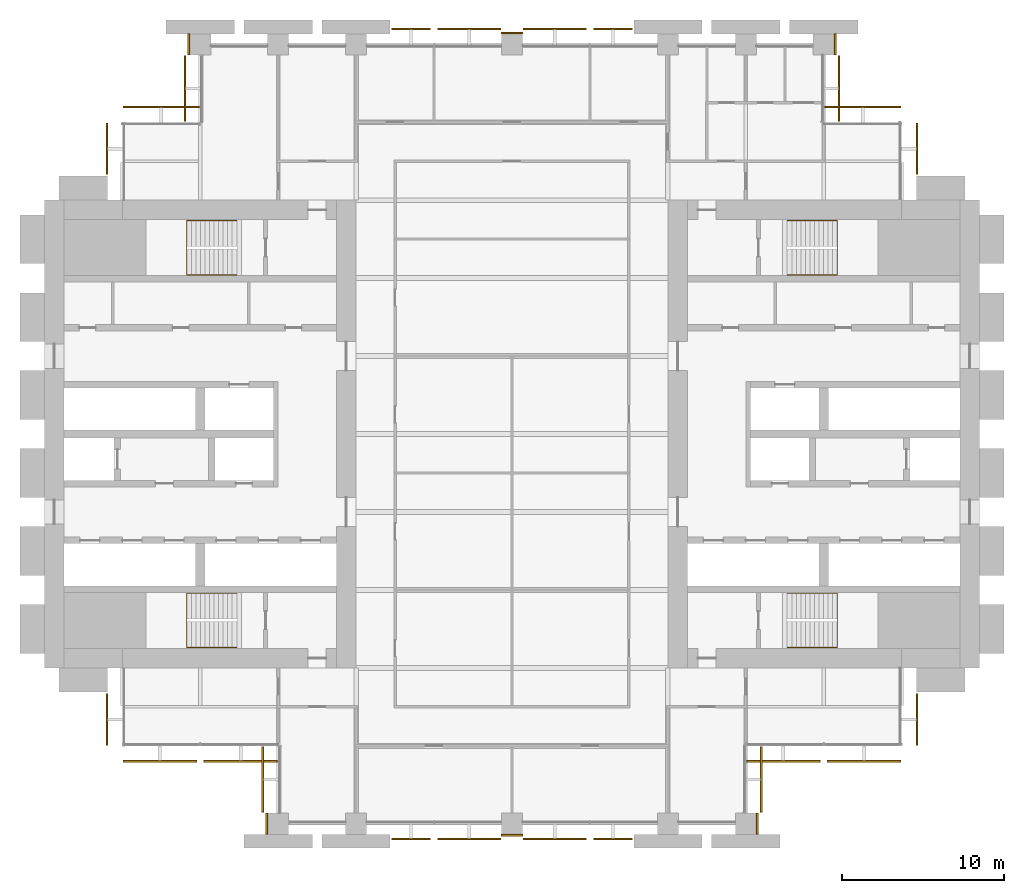
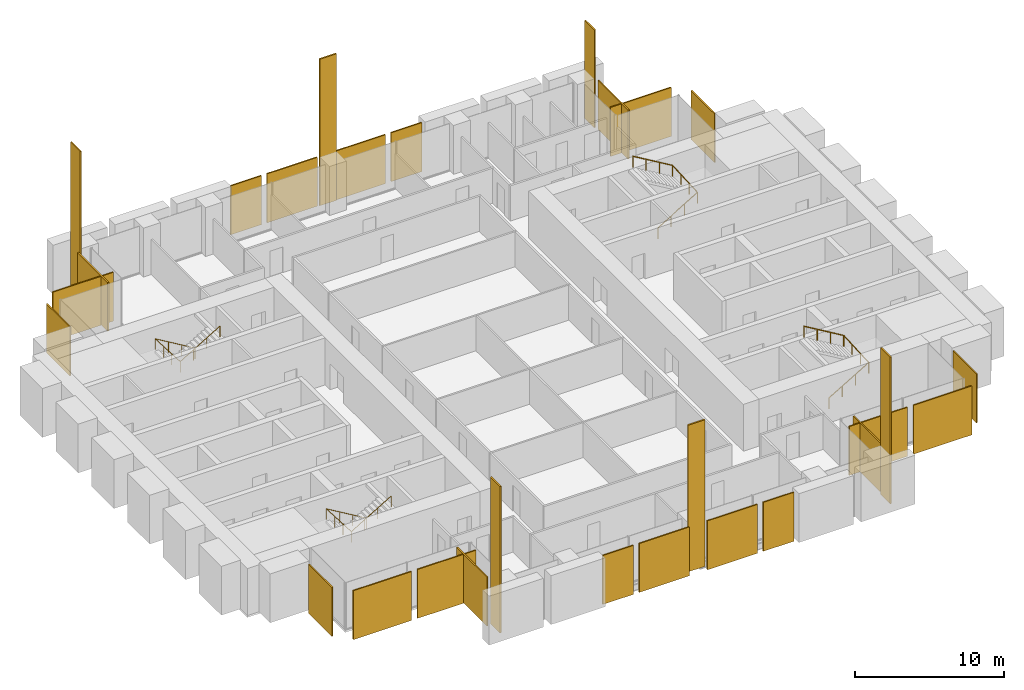
# One storey, part 14 of 14: 28 coverings, 4 railings.
"""IFC4 building model written with IfcOpenShell, lengths in metres."""

from ifc_helpers import new_model, si_unit, direction, frame, origin, origin_2d, place, context, subcontext, project, spatial, polyline, rectangle, circle, outline, extrude, material, layer, layer_set, type_object, element, save


model = new_model("IFC4")

# Units and contexts
model_context = context("Model", 3, precision=1e-05, world=origin(), true_north=direction((0.0, 1.0)))
body_context = subcontext(model_context, "Body", "Model", "MODEL_VIEW")
ifc_project = project(units=[si_unit("LENGTHUNIT", "METRE"), si_unit("AREAUNIT", "SQUARE_METRE"), si_unit("VOLUMEUNIT", "CUBIC_METRE"), si_unit("PLANEANGLEUNIT", "RADIAN"), si_unit("MASSUNIT", "GRAM", prefix="KILO")], contexts=[model_context])

# Site, building, storey
site_placement = place(None, origin())
site = spatial("IfcSite", under=ifc_project, at=site_placement, CompositionType="ELEMENT")
building_placement = place(site_placement, origin())
building = spatial("IfcBuilding", under=site, at=building_placement, Name="Baori Bourse Tower", CompositionType="ELEMENT")
storey_placement = place(building_placement, frame((0.0, 0.0, 75.0)))
storey = spatial("IfcBuildingStorey", under=building, at=storey_placement, Name="L16", CompositionType="ELEMENT", Elevation=75.0)

# Railings
ifc_material_1 = material(Name="Powder-coated steel balustrade", Category="steel")
railing_type = type_object("IfcRailingType", Name="Core stair handrail", PredefinedType="HANDRAIL", material=ifc_material_1)
railing_1_placement = place(storey_placement, frame((11.85009765625, 14.199951171875, 0.166748046875)))
element("IfcRailing", 1, at=railing_1_placement, inside=storey, type_object=railing_type, Name="L16 ST1 stair handrail 1", PredefinedType="HANDRAIL", context=body_context, shape_type="SweptSolid", body=[
    extrude(circle(Radius=0.02392578125, at=origin_2d()), frame((0.0, 0.0, 0.8759765625), z_axis=(-0.859308565015, 0.0, 0.511457515432), x_axis=(0.0, -1.0, 0.0)), (0.0, 0.0, 1.0), 3.58447265625),
    extrude(circle(Radius=0.02392578125, at=origin_2d()), frame((-3.080078125, 0.0, 2.708984375), z_axis=(0.0, -0.998763387249, 0.04971615724), x_axis=(1.0, 0.0, 0.0)), (0.0, 0.0, 1.0), 3.35400390625),
    extrude(circle(Radius=0.02392578125, at=origin_2d()), frame((-3.080078125, -3.349853515625, 2.8759765625), z_axis=(0.859308565015, 0.0, 0.511457515432), x_axis=(0.0, 1.0, 0.0)), (0.0, 0.0, 1.0), 3.58447265625),
    extrude(circle(Radius=0.02099609375, at=origin_2d()), origin(), (0.0, 0.0, 1.0), 0.851806640625),
    extrude(circle(Radius=0.02099609375, at=origin_2d()), frame((-1.026611328125, 0.0, 0.611083984375)), (0.0, 0.0, 1.0), 0.851806640625),
    extrude(circle(Radius=0.02099609375, at=origin_2d()), frame((-2.053466796875, 0.0, 1.22216796875)), (0.0, 0.0, 1.0), 0.851806640625),
    extrude(circle(Radius=0.02099609375, at=origin_2d()), frame((-3.080078125, 0.0, 1.833251953125)), (0.0, 0.0, 1.0), 0.851806640625),
    extrude(circle(Radius=0.02099609375, at=origin_2d()), frame((-3.080078125, -1.11669921875, 1.888916015625)), (0.0, 0.0, 1.0), 0.851806640625),
    extrude(circle(Radius=0.02099609375, at=origin_2d()), frame((-3.080078125, -2.233154296875, 1.9443359375)), (0.0, 0.0, 1.0), 0.851806640625),
    extrude(circle(Radius=0.02099609375, at=origin_2d()), frame((-3.080078125, -3.349853515625, 2.0)), (0.0, 0.0, 1.0), 0.851806640625),
    extrude(circle(Radius=0.02099609375, at=origin_2d()), frame((-2.053466796875, -3.349853515625, 2.611083984375)), (0.0, 0.0, 1.0), 0.851806640625),
    extrude(circle(Radius=0.02099609375, at=origin_2d()), frame((-1.026611328125, -3.349853515625, 3.22216796875)), (0.0, 0.0, 1.0), 0.851806640625),
    extrude(circle(Radius=0.02099609375, at=origin_2d()), frame((0.0, -3.349853515625, 3.833251953125)), (0.0, 0.0, 1.0), 0.851806640625),
])
railing_2_placement = place(storey_placement, frame((11.85009765625, 37.14990234375, 0.166748046875)))
element("IfcRailing", 2, at=railing_2_placement, inside=storey, type_object=railing_type, Name="L16 ST2 stair handrail 1", PredefinedType="HANDRAIL", context=body_context, shape_type="SweptSolid", body=[
    extrude(circle(Radius=0.02392578125, at=origin_2d()), frame((0.0, 0.0, 0.8759765625), z_axis=(-0.859308565015, 0.0, 0.511457515432), x_axis=(0.0, -1.0, 0.0)), (0.0, 0.0, 1.0), 3.58447265625),
    extrude(circle(Radius=0.02392578125, at=origin_2d()), frame((-3.080078125, 0.0, 2.708984375), z_axis=(0.0, -0.998763387249, 0.04971615724), x_axis=(1.0, 0.0, 0.0)), (0.0, 0.0, 1.0), 3.35400390625),
    extrude(circle(Radius=0.02392578125, at=origin_2d()), frame((-3.080078125, -3.349853515625, 2.8759765625), z_axis=(0.859308565015, 0.0, 0.511457515432), x_axis=(0.0, 1.0, 0.0)), (0.0, 0.0, 1.0), 3.58447265625),
    extrude(circle(Radius=0.02099609375, at=origin_2d()), origin(), (0.0, 0.0, 1.0), 0.851806640625),
    extrude(circle(Radius=0.02099609375, at=origin_2d()), frame((-1.026611328125, 0.0, 0.611083984375)), (0.0, 0.0, 1.0), 0.851806640625),
    extrude(circle(Radius=0.02099609375, at=origin_2d()), frame((-2.053466796875, 0.0, 1.22216796875)), (0.0, 0.0, 1.0), 0.851806640625),
    extrude(circle(Radius=0.02099609375, at=origin_2d()), frame((-3.080078125, 0.0, 1.833251953125)), (0.0, 0.0, 1.0), 0.851806640625),
    extrude(circle(Radius=0.02099609375, at=origin_2d()), frame((-3.080078125, -1.11669921875, 1.888916015625)), (0.0, 0.0, 1.0), 0.851806640625),
    extrude(circle(Radius=0.02099609375, at=origin_2d()), frame((-3.080078125, -2.233154296875, 1.9443359375)), (0.0, 0.0, 1.0), 0.851806640625),
    extrude(circle(Radius=0.02099609375, at=origin_2d()), frame((-3.080078125, -3.349853515625, 2.0)), (0.0, 0.0, 1.0), 0.851806640625),
    extrude(circle(Radius=0.02099609375, at=origin_2d()), frame((-2.053466796875, -3.349853515625, 2.611083984375)), (0.0, 0.0, 1.0), 0.851806640625),
    extrude(circle(Radius=0.02099609375, at=origin_2d()), frame((-1.026611328125, -3.349853515625, 3.22216796875)), (0.0, 0.0, 1.0), 0.851806640625),
    extrude(circle(Radius=0.02099609375, at=origin_2d()), frame((0.0, -3.349853515625, 3.833251953125)), (0.0, 0.0, 1.0), 0.851806640625),
])
railing_3_placement = place(storey_placement, frame((45.75, 10.85009765625, 0.166748046875)))
element("IfcRailing", 3, at=railing_3_placement, inside=storey, type_object=railing_type, Name="L16 ST3 stair handrail 1", PredefinedType="HANDRAIL", context=body_context, shape_type="SweptSolid", body=[
    extrude(circle(Radius=0.02392578125, at=origin_2d()), frame((0.0, 0.0, 0.8759765625), z_axis=(0.859308565015, 0.0, 0.511457515432), x_axis=(0.0, 1.0, 0.0)), (0.0, 0.0, 1.0), 3.58447265625),
    extrude(circle(Radius=0.02392578125, at=origin_2d()), frame((3.080078125, 0.0, 2.708984375), z_axis=(0.0, 0.998763387249, 0.04971615724), x_axis=(-1.0, 0.0, 0.0)), (0.0, 0.0, 1.0), 3.35400390625),
    extrude(circle(Radius=0.02392578125, at=origin_2d()), frame((3.080078125, 3.349853515625, 2.8759765625), z_axis=(-0.859308565015, 0.0, 0.511457515432), x_axis=(0.0, -1.0, 0.0)), (0.0, 0.0, 1.0), 3.58447265625),
    extrude(circle(Radius=0.02099609375, at=origin_2d()), origin(), (0.0, 0.0, 1.0), 0.851806640625),
    extrude(circle(Radius=0.02099609375, at=origin_2d()), frame((1.026611328125, 0.0, 0.611083984375)), (0.0, 0.0, 1.0), 0.851806640625),
    extrude(circle(Radius=0.02099609375, at=origin_2d()), frame((2.053466796875, 0.0, 1.22216796875)), (0.0, 0.0, 1.0), 0.851806640625),
    extrude(circle(Radius=0.02099609375, at=origin_2d()), frame((3.080078125, 0.0, 1.833251953125)), (0.0, 0.0, 1.0), 0.851806640625),
    extrude(circle(Radius=0.02099609375, at=origin_2d()), frame((3.080078125, 1.11669921875, 1.888916015625)), (0.0, 0.0, 1.0), 0.851806640625),
    extrude(circle(Radius=0.02099609375, at=origin_2d()), frame((3.080078125, 2.233154296875, 1.9443359375)), (0.0, 0.0, 1.0), 0.851806640625),
    extrude(circle(Radius=0.02099609375, at=origin_2d()), frame((3.080078125, 3.349853515625, 2.0)), (0.0, 0.0, 1.0), 0.851806640625),
    extrude(circle(Radius=0.02099609375, at=origin_2d()), frame((2.053466796875, 3.349853515625, 2.611083984375)), (0.0, 0.0, 1.0), 0.851806640625),
    extrude(circle(Radius=0.02099609375, at=origin_2d()), frame((1.026611328125, 3.349853515625, 3.22216796875)), (0.0, 0.0, 1.0), 0.851806640625),
    extrude(circle(Radius=0.02099609375, at=origin_2d()), frame((0.0, 3.349853515625, 3.833251953125)), (0.0, 0.0, 1.0), 0.851806640625),
])
railing_4_placement = place(storey_placement, frame((45.75, 33.800048828125, 0.166748046875)))
element("IfcRailing", 4, at=railing_4_placement, inside=storey, type_object=railing_type, Name="L16 ST4 stair handrail 1", PredefinedType="HANDRAIL", context=body_context, shape_type="SweptSolid", body=[
    extrude(circle(Radius=0.02392578125, at=origin_2d()), frame((0.0, 0.0, 0.8759765625), z_axis=(0.859308565015, 0.0, 0.511457515432), x_axis=(0.0, 1.0, 0.0)), (0.0, 0.0, 1.0), 3.58447265625),
    extrude(circle(Radius=0.02392578125, at=origin_2d()), frame((3.080078125, 0.0, 2.708984375), z_axis=(0.0, 0.998763387249, 0.04971615724), x_axis=(-1.0, 0.0, 0.0)), (0.0, 0.0, 1.0), 3.35400390625),
    extrude(circle(Radius=0.02392578125, at=origin_2d()), frame((3.080078125, 3.349853515625, 2.8759765625), z_axis=(-0.859308565015, 0.0, 0.511457515432), x_axis=(0.0, -1.0, 0.0)), (0.0, 0.0, 1.0), 3.58447265625),
    extrude(circle(Radius=0.02099609375, at=origin_2d()), origin(), (0.0, 0.0, 1.0), 0.851806640625),
    extrude(circle(Radius=0.02099609375, at=origin_2d()), frame((1.026611328125, 0.0, 0.611083984375)), (0.0, 0.0, 1.0), 0.851806640625),
    extrude(circle(Radius=0.02099609375, at=origin_2d()), frame((2.053466796875, 0.0, 1.22216796875)), (0.0, 0.0, 1.0), 0.851806640625),
    extrude(circle(Radius=0.02099609375, at=origin_2d()), frame((3.080078125, 0.0, 1.833251953125)), (0.0, 0.0, 1.0), 0.851806640625),
    extrude(circle(Radius=0.02099609375, at=origin_2d()), frame((3.080078125, 1.11669921875, 1.888916015625)), (0.0, 0.0, 1.0), 0.851806640625),
    extrude(circle(Radius=0.02099609375, at=origin_2d()), frame((3.080078125, 2.233154296875, 1.9443359375)), (0.0, 0.0, 1.0), 0.851806640625),
    extrude(circle(Radius=0.02099609375, at=origin_2d()), frame((3.080078125, 3.349853515625, 2.0)), (0.0, 0.0, 1.0), 0.851806640625),
    extrude(circle(Radius=0.02099609375, at=origin_2d()), frame((2.053466796875, 3.349853515625, 2.611083984375)), (0.0, 0.0, 1.0), 0.851806640625),
    extrude(circle(Radius=0.02099609375, at=origin_2d()), frame((1.026611328125, 3.349853515625, 3.22216796875)), (0.0, 0.0, 1.0), 0.851806640625),
    extrude(circle(Radius=0.02099609375, at=origin_2d()), frame((0.0, 3.349853515625, 3.833251953125)), (0.0, 0.0, 1.0), 0.851806640625),
])

# Coverings
ifc_material_2 = material(Name="Pale anodised aluminium", Category="aluminium")
ifc_layer_1 = layer(ifc_material_2, 0.10009765625)
ifc_layer_set_1 = layer_set([ifc_layer_1], Name="OS3 Outer skin screen panel")
covering_type_1 = type_object("IfcCoveringType", Name="OS3 Outer skin screen panel", PredefinedType="CLADDING", material=ifc_layer_set_1)
covering_1_placement = place(storey_placement, frame((0.0, 0.0, -0.159912109375)))
element("IfcCovering", 5, at=covering_1_placement, inside=storey, type_object=covering_type_1, Name="Outer skin screen L16 1", PredefinedType="CLADDING", context=body_context, shape_type="SweptSolid", body=[
    extrude(outline(polyline([(53.699951171875, 43.14990234375), (53.699951171875, 40.0), (53.800048828125, 40.0), (53.800048828125, 43.14990234375), (53.699951171875, 43.14990234375)])), origin(), (0.0, 0.0, 1.0), 4.0),
])
covering_2_placement = place(storey_placement, frame((0.0, 0.0, -0.159912109375)))
element("IfcCovering", 6, at=covering_2_placement, inside=storey, type_object=covering_type_1, Name="Outer skin screen L16 2", PredefinedType="CLADDING", context=body_context, shape_type="SweptSolid", body=[
    extrude(outline(polyline([(48.050048828125, 44.10009765625), (52.75, 44.10009765625), (52.75, 44.199951171875), (48.050048828125, 44.199951171875), (48.050048828125, 44.10009765625)])), origin(), (0.0, 0.0, 1.0), 4.0),
])
covering_3_placement = place(storey_placement, frame((0.0, 0.0, -0.159912109375)))
element("IfcCovering", 7, at=covering_3_placement, inside=storey, type_object=covering_type_1, Name="Outer skin screen L16 3", PredefinedType="CLADDING", context=body_context, shape_type="SweptSolid", body=[
    extrude(outline(polyline([(48.89990234375, 47.300048828125), (48.89990234375, 43.25), (49.0, 43.25), (49.0, 47.300048828125), (48.89990234375, 47.300048828125)])), origin(), (0.0, 0.0, 1.0), 4.0),
])
covering_4_placement = place(storey_placement, frame((0.0, 0.0, -0.159912109375)))
element("IfcCovering", 8, at=covering_4_placement, inside=storey, type_object=covering_type_1, Name="Outer skin screen L16 4", PredefinedType="CLADDING", context=body_context, shape_type="SweptSolid", body=[
    extrude(outline(polyline([(33.824951171875, 48.89990234375), (36.199951171875, 48.89990234375), (36.199951171875, 49.0), (33.824951171875, 49.0), (33.824951171875, 48.89990234375)])), origin(), (0.0, 0.0, 1.0), 4.0),
])
covering_5_placement = place(storey_placement, frame((0.0, 0.0, -0.159912109375)))
element("IfcCovering", 9, at=covering_5_placement, inside=storey, type_object=covering_type_1, Name="Outer skin screen L16 5", PredefinedType="CLADDING", context=body_context, shape_type="SweptSolid", body=[
    extrude(outline(polyline([(29.5, 48.89990234375), (33.375, 48.89990234375), (33.375, 49.0), (29.5, 49.0), (29.5, 48.89990234375)])), origin(), (0.0, 0.0, 1.0), 4.0),
])
covering_6_placement = place(storey_placement, frame((0.0, 0.0, -0.159912109375)))
element("IfcCovering", 10, at=covering_6_placement, inside=storey, type_object=covering_type_1, Name="Outer skin screen L16 6", PredefinedType="CLADDING", context=body_context, shape_type="SweptSolid", body=[
    extrude(outline(polyline([(24.22509765625, 48.89990234375), (28.10009765625, 48.89990234375), (28.10009765625, 49.0), (24.22509765625, 49.0), (24.22509765625, 48.89990234375)])), origin(), (0.0, 0.0, 1.0), 4.0),
])
covering_7_placement = place(storey_placement, frame((0.0, 0.0, -0.159912109375)))
element("IfcCovering", 11, at=covering_7_placement, inside=storey, type_object=covering_type_1, Name="Outer skin screen L16 7", PredefinedType="CLADDING", context=body_context, shape_type="SweptSolid", body=[
    extrude(outline(polyline([(21.39990234375, 48.89990234375), (23.77490234375, 48.89990234375), (23.77490234375, 49.0), (21.39990234375, 49.0), (21.39990234375, 48.89990234375)])), origin(), (0.0, 0.0, 1.0), 4.0),
])
covering_8_placement = place(storey_placement, frame((0.0, 0.0, -0.159912109375)))
element("IfcCovering", 12, at=covering_8_placement, inside=storey, type_object=covering_type_1, Name="Outer skin screen L16 8", PredefinedType="CLADDING", context=body_context, shape_type="SweptSolid", body=[
    extrude(outline(polyline([(8.699951171875, 43.25), (8.699951171875, 47.300048828125), (8.60009765625, 47.300048828125), (8.60009765625, 43.25), (8.699951171875, 43.25)])), origin(), (0.0, 0.0, 1.0), 4.0),
])
covering_9_placement = place(storey_placement, frame((0.0, 0.0, -0.159912109375)))
element("IfcCovering", 13, at=covering_9_placement, inside=storey, type_object=covering_type_1, Name="Outer skin screen L16 9", PredefinedType="CLADDING", context=body_context, shape_type="SweptSolid", body=[
    extrude(outline(polyline([(4.85009765625, 44.10009765625), (9.550048828125, 44.10009765625), (9.550048828125, 44.199951171875), (4.85009765625, 44.199951171875), (4.85009765625, 44.10009765625)])), origin(), (0.0, 0.0, 1.0), 4.0),
])
covering_10_placement = place(storey_placement, frame((0.0, 0.0, -0.159912109375)))
element("IfcCovering", 14, at=covering_10_placement, inside=storey, type_object=covering_type_1, Name="Outer skin screen L16 10", PredefinedType="CLADDING", context=body_context, shape_type="SweptSolid", body=[
    extrude(outline(polyline([(3.89990234375, 40.0), (3.89990234375, 43.14990234375), (3.800048828125, 43.14990234375), (3.800048828125, 40.0), (3.89990234375, 40.0), (3.89990234375, 40.0)])), origin(), (0.0, 0.0, 1.0), 4.0),
])
covering_11_placement = place(storey_placement, frame((0.0, 0.0, -0.159912109375)))
element("IfcCovering", 15, at=covering_11_placement, inside=storey, type_object=covering_type_1, Name="Outer skin screen L16 11", PredefinedType="CLADDING", context=body_context, shape_type="SweptSolid", body=[
    extrude(outline(polyline([(3.89990234375, 4.85009765625), (3.89990234375, 8.0), (3.89990234375, 8.0), (3.800048828125, 8.0), (3.800048828125, 4.85009765625), (3.89990234375, 4.85009765625)])), origin(), (0.0, 0.0, 1.0), 4.0),
])
covering_12_placement = place(storey_placement, frame((0.0, 0.0, -0.159912109375)))
element("IfcCovering", 16, at=covering_12_placement, inside=storey, type_object=covering_type_1, Name="Outer skin screen L16 12", PredefinedType="CLADDING", context=body_context, shape_type="SweptSolid", body=[
    extrude(outline(polyline([(9.375, 3.89990234375), (4.85009765625, 3.89990234375), (4.85009765625, 3.800048828125), (9.375, 3.800048828125), (9.375, 3.89990234375)])), origin(), (0.0, 0.0, 1.0), 4.0),
])
covering_13_placement = place(storey_placement, frame((0.0, 0.0, -0.159912109375)))
element("IfcCovering", 17, at=covering_13_placement, inside=storey, type_object=covering_type_1, Name="Outer skin screen L16 13", PredefinedType="CLADDING", context=body_context, shape_type="SweptSolid", body=[
    extrude(outline(polyline([(14.35009765625, 3.89990234375), (9.824951171875, 3.89990234375), (9.824951171875, 3.800048828125), (14.35009765625, 3.800048828125), (14.35009765625, 3.89990234375)])), origin(), (0.0, 0.0, 1.0), 4.0),
])
covering_14_placement = place(storey_placement, frame((0.0, 0.0, -0.159912109375)))
element("IfcCovering", 18, at=covering_14_placement, inside=storey, type_object=covering_type_1, Name="Outer skin screen L16 14", PredefinedType="CLADDING", context=body_context, shape_type="SweptSolid", body=[
    extrude(outline(polyline([(13.5, 0.699951171875), (13.5, 4.75), (13.39990234375, 4.75), (13.39990234375, 0.699951171875), (13.5, 0.699951171875)])), origin(), (0.0, 0.0, 1.0), 4.0),
])
covering_15_placement = place(storey_placement, frame((0.0, 0.0, -0.159912109375)))
element("IfcCovering", 19, at=covering_15_placement, inside=storey, type_object=covering_type_1, Name="Outer skin screen L16 15", PredefinedType="CLADDING", context=body_context, shape_type="SweptSolid", body=[
    extrude(outline(polyline([(23.77490234375, -0.89990234375), (21.39990234375, -0.89990234375), (21.39990234375, -1.0), (23.77490234375, -1.0), (23.77490234375, -0.89990234375)])), origin(), (0.0, 0.0, 1.0), 4.0),
])
covering_16_placement = place(storey_placement, frame((0.0, 0.0, -0.159912109375)))
element("IfcCovering", 20, at=covering_16_placement, inside=storey, type_object=covering_type_1, Name="Outer skin screen L16 16", PredefinedType="CLADDING", context=body_context, shape_type="SweptSolid", body=[
    extrude(outline(polyline([(28.10009765625, -0.89990234375), (24.22509765625, -0.89990234375), (24.22509765625, -1.0), (28.10009765625, -1.0), (28.10009765625, -0.89990234375)])), origin(), (0.0, 0.0, 1.0), 4.0),
])
covering_17_placement = place(storey_placement, frame((0.0, 0.0, -0.159912109375)))
element("IfcCovering", 21, at=covering_17_placement, inside=storey, type_object=covering_type_1, Name="Outer skin screen L16 17", PredefinedType="CLADDING", context=body_context, shape_type="SweptSolid", body=[
    extrude(outline(polyline([(33.375, -0.89990234375), (29.5, -0.89990234375), (29.5, -1.0), (33.375, -1.0), (33.375, -0.89990234375)])), origin(), (0.0, 0.0, 1.0), 4.0),
])
covering_18_placement = place(storey_placement, frame((0.0, 0.0, -0.159912109375)))
element("IfcCovering", 22, at=covering_18_placement, inside=storey, type_object=covering_type_1, Name="Outer skin screen L16 18", PredefinedType="CLADDING", context=body_context, shape_type="SweptSolid", body=[
    extrude(outline(polyline([(36.199951171875, -0.89990234375), (33.824951171875, -0.89990234375), (33.824951171875, -1.0), (36.199951171875, -1.0), (36.199951171875, -0.89990234375)])), origin(), (0.0, 0.0, 1.0), 4.0),
])
covering_19_placement = place(storey_placement, frame((0.0, 0.0, -0.159912109375)))
element("IfcCovering", 23, at=covering_19_placement, inside=storey, type_object=covering_type_1, Name="Outer skin screen L16 19", PredefinedType="CLADDING", context=body_context, shape_type="SweptSolid", body=[
    extrude(outline(polyline([(44.10009765625, 4.75), (44.10009765625, 0.699951171875), (44.199951171875, 0.699951171875), (44.199951171875, 4.75), (44.10009765625, 4.75)])), origin(), (0.0, 0.0, 1.0), 4.0),
])
covering_20_placement = place(storey_placement, frame((0.0, 0.0, -0.159912109375)))
element("IfcCovering", 24, at=covering_20_placement, inside=storey, type_object=covering_type_1, Name="Outer skin screen L16 20", PredefinedType="CLADDING", context=body_context, shape_type="SweptSolid", body=[
    extrude(outline(polyline([(47.77490234375, 3.89990234375), (43.25, 3.89990234375), (43.25, 3.800048828125), (47.77490234375, 3.800048828125), (47.77490234375, 3.89990234375)])), origin(), (0.0, 0.0, 1.0), 4.0),
])
covering_21_placement = place(storey_placement, frame((0.0, 0.0, -0.159912109375)))
element("IfcCovering", 25, at=covering_21_placement, inside=storey, type_object=covering_type_1, Name="Outer skin screen L16 21", PredefinedType="CLADDING", context=body_context, shape_type="SweptSolid", body=[
    extrude(outline(polyline([(52.75, 3.89990234375), (48.22509765625, 3.89990234375), (48.22509765625, 3.800048828125), (52.75, 3.800048828125), (52.75, 3.89990234375)])), origin(), (0.0, 0.0, 1.0), 4.0),
])
covering_22_placement = place(storey_placement, frame((0.0, 0.0, -0.159912109375)))
element("IfcCovering", 26, at=covering_22_placement, inside=storey, type_object=covering_type_1, Name="Outer skin screen L16 22", PredefinedType="CLADDING", context=body_context, shape_type="SweptSolid", body=[
    extrude(outline(polyline([(53.699951171875, 8.0), (53.699951171875, 4.85009765625), (53.800048828125, 4.85009765625), (53.800048828125, 8.0), (53.699951171875, 8.0)])), origin(), (0.0, 0.0, 1.0), 4.0),
])
ifc_material_3 = material(Name="Face brick", Category="masonry")
ifc_layer_2 = layer(ifc_material_3, 0.110107421875)
ifc_layer_set_2 = layer_set([ifc_layer_2], Name="PC1 Brick pier facing")
covering_type_2 = type_object("IfcCoveringType", Name="PC1 Brick pier facing", PredefinedType="CLADDING", material=ifc_layer_set_2)
covering_23_placement = place(storey_placement, frame((13.695068359375, 0.0, 0.0), z_axis=(0.0, 0.0, 1.0), x_axis=(1.0, 0.0, 0.0)))
element("IfcCovering", 27, at=covering_23_placement, inside=storey, type_object=covering_type_2, Name="Brick pier facing L16 1", PredefinedType="CLADDING", context=body_context, shape_type="SweptSolid", body=[
    extrude(rectangle(XDim=0.110107421875, YDim=1.300048828125, at=origin_2d()), origin(), (0.0, 0.0, 1.0), 12.0),
])
covering_24_placement = place(storey_placement, frame((28.800048828125, -0.705078125, 0.0), z_axis=(0.0, 0.0, 1.0), x_axis=(1.0, 0.0, 0.0)))
element("IfcCovering", 28, at=covering_24_placement, inside=storey, type_object=covering_type_2, Name="Brick pier facing L16 2", PredefinedType="CLADDING", context=body_context, shape_type="SweptSolid", body=[
    extrude(rectangle(XDim=1.300048828125, YDim=0.110107421875, at=origin_2d()), origin(), (0.0, 0.0, 1.0), 12.0),
])
for number, where, z_axis, x_axis, name in (
    (29, (43.905029296875, 0.0, 0.0), (0.0, 0.0, 1.0), (1.0, 0.0, 0.0), "Brick pier facing L16 3"),
    (30, (8.89501953125, 48.0, 0.0), (0.0, 0.0, 1.0), (1.0, 0.0, 0.0), "Brick pier facing L16 4"),
):
    element("IfcCovering", number, at=place(storey_placement, frame(where, z_axis=z_axis, x_axis=x_axis)), inside=storey, type_object=covering_type_2, Name=name, PredefinedType="CLADDING", context=body_context, shape_type="SweptSolid", body=[
        extrude(rectangle(XDim=0.110107421875, YDim=1.300048828125, at=origin_2d()), origin(), (0.0, 0.0, 1.0), 12.0),
    ])
covering_25_placement = place(storey_placement, frame((28.800048828125, 48.705078125, 0.0), z_axis=(0.0, 0.0, 1.0), x_axis=(1.0, 0.0, 0.0)))
element("IfcCovering", 31, at=covering_25_placement, inside=storey, type_object=covering_type_2, Name="Brick pier facing L16 5", PredefinedType="CLADDING", context=body_context, shape_type="SweptSolid", body=[
    extrude(rectangle(XDim=1.300048828125, YDim=0.110107421875, at=origin_2d()), origin(), (0.0, 0.0, 1.0), 12.0),
])
covering_26_placement = place(storey_placement, frame((48.705078125, 48.0, 0.0), z_axis=(0.0, 0.0, 1.0), x_axis=(1.0, 0.0, 0.0)))
element("IfcCovering", 32, at=covering_26_placement, inside=storey, type_object=covering_type_2, Name="Brick pier facing L16 6", PredefinedType="CLADDING", context=body_context, shape_type="SweptSolid", body=[
    extrude(rectangle(XDim=0.110107421875, YDim=1.300048828125, at=origin_2d()), origin(), (0.0, 0.0, 1.0), 8.0),
])

save(model, "model.ifc")
